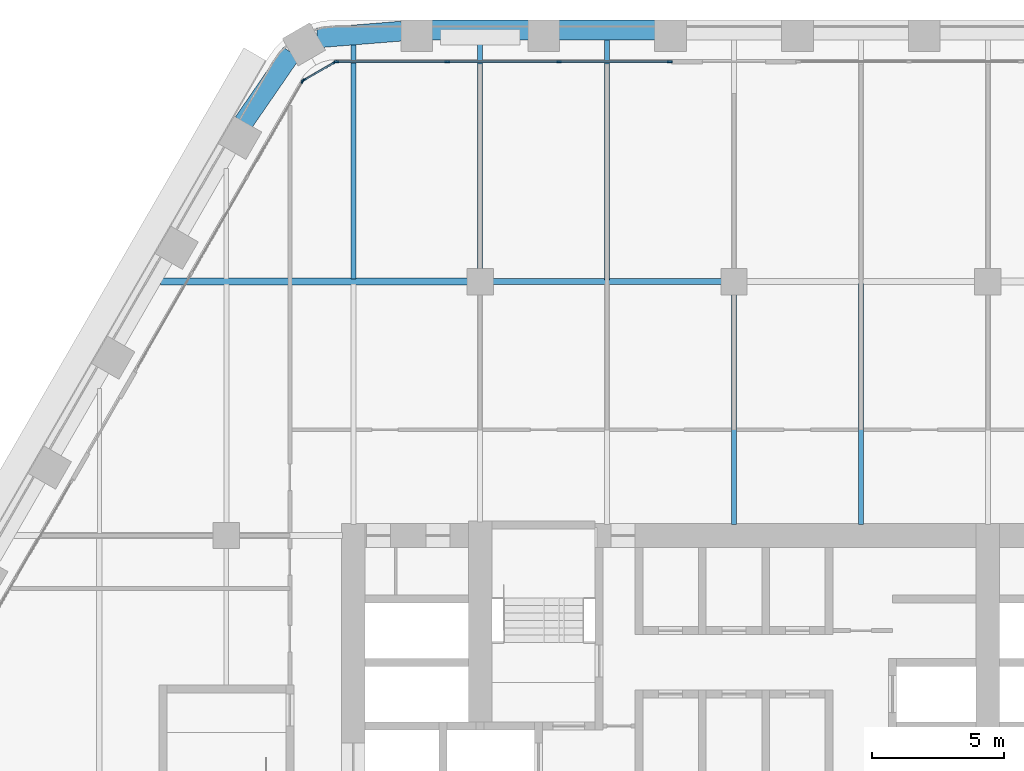
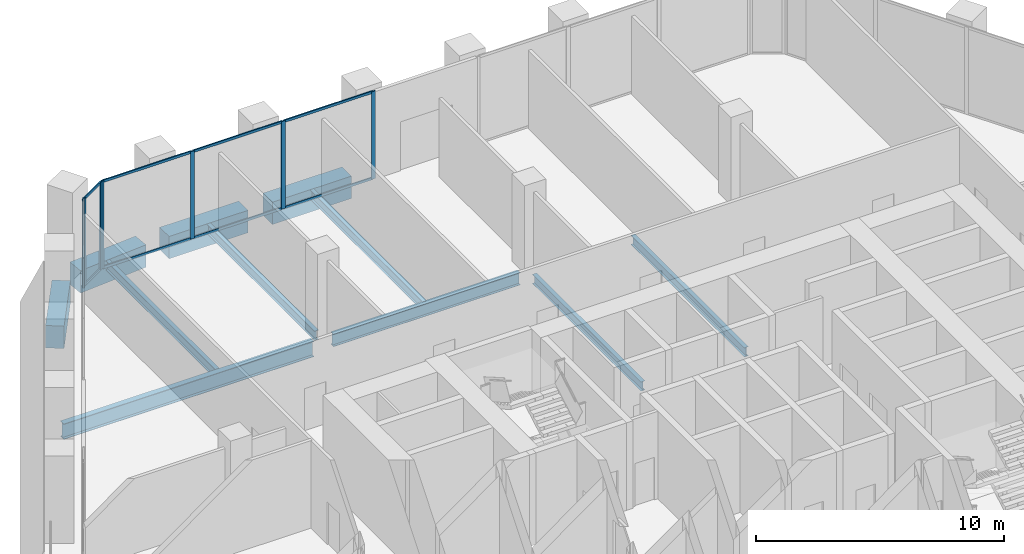
# One storey, part 7 of 22: 15 members, 11 beams, 3 elements without a shape of their own.
"""IFC4 building model written with IfcOpenShell, lengths in metres."""

from ifc_helpers import new_model, si_unit, direction, frame, origin, origin_2d, place, context, subcontext, project, spatial, rectangle, i_section, extrude, material, material_profile, profile_set, type_object, element, aggregate, save


model = new_model("IFC4")

# Units and contexts
model_context = context("Model", 3, precision=1e-05, world=origin(), true_north=direction((0.0, 1.0)))
body_context = subcontext(model_context, "Body", "Model", "MODEL_VIEW")
ifc_project = project(units=[si_unit("LENGTHUNIT", "METRE"), si_unit("AREAUNIT", "SQUARE_METRE"), si_unit("VOLUMEUNIT", "CUBIC_METRE"), si_unit("PLANEANGLEUNIT", "RADIAN"), si_unit("MASSUNIT", "GRAM", prefix="KILO")], contexts=[model_context])

# Site, building, storey
site_placement = place(None, origin())
site = spatial("IfcSite", under=ifc_project, at=site_placement, CompositionType="ELEMENT")
building_placement = place(site_placement, origin())
building = spatial("IfcBuilding", under=site, at=building_placement, Name="Kolab Exchange Tower", CompositionType="ELEMENT")
storey_placement = place(building_placement, frame((0.0, 0.0, 113.89990234375)))
storey = spatial("IfcBuildingStorey", under=building, at=storey_placement, Name="L22", CompositionType="ELEMENT", Elevation=113.89990234375)

# Beams
ifc_material_1 = material(Name="Steel S355", Category="steel")
ifc_material_profile_1 = material_profile(ifc_material_1, i_section(OverallWidth=0.18994140625, OverallDepth=0.45703125, WebThickness=0.009033203125, FlangeThickness=0.014404296875, at=origin_2d()), Name="W460X74")
ifc_profile_set_1 = profile_set([ifc_material_profile_1], Name="Steel S355")
beam_type_1 = type_object("IfcBeamType", Name="FLOOR BEAM W460X74", PredefinedType="BEAM", material=ifc_profile_set_1)
beam_1_placement = place(storey_placement, frame((-14.39990234375, 19.29345703125, -0.428466796875), z_axis=(0.0, 1.0, 0.0), x_axis=(-1.0, 0.0, 0.0)))
element("IfcBeam", 1, at=beam_1_placement, inside=storey, type_object=beam_type_1, Name="beam/L22/fr/015", PredefinedType="BEAM", context=body_context, shape_type="SweptSolid", body=[
    extrude(i_section(OverallWidth=0.18994140625, OverallDepth=0.45703125, WebThickness=0.009033203125, FlangeThickness=0.014404296875, at=origin_2d()), origin(), (0.0, 0.0, 1.0), 8.901123046875),
])
beam_2_placement = place(storey_placement, frame((-9.60009765625, 19.659912109375, -0.428466796875), z_axis=(0.0, 1.0, 0.0), x_axis=(-1.0, 0.0, 0.0)))
element("IfcBeam", 2, at=beam_2_placement, inside=storey, type_object=beam_type_1, Name="beam/L22/fr/019", PredefinedType="BEAM", context=body_context, shape_type="SweptSolid", body=[
    extrude(i_section(OverallWidth=0.18994140625, OverallDepth=0.45703125, WebThickness=0.009033203125, FlangeThickness=0.014404296875, at=origin_2d()), origin(), (0.0, 0.0, 1.0), 8.728515625),
])
beam_3_placement = place(storey_placement, frame((-4.800048828125, 19.27392578125, -0.428466796875), z_axis=(0.0, 1.0, 0.0), x_axis=(-1.0, 0.0, 0.0)))
element("IfcBeam", 3, at=beam_3_placement, inside=storey, type_object=beam_type_1, Name="beam/L22/fr/023", PredefinedType="BEAM", context=body_context, shape_type="SweptSolid", body=[
    extrude(i_section(OverallWidth=0.18994140625, OverallDepth=0.45703125, WebThickness=0.009033203125, FlangeThickness=0.014404296875, at=origin_2d()), origin(), (0.0, 0.0, 1.0), 9.114501953125),
])
beam_4_placement = place(storey_placement, frame((0.0, 10.010009765625, -0.428466796875), z_axis=(0.0, 1.0, 0.0), x_axis=(-1.0, 0.0, 0.0)))
element("IfcBeam", 4, at=beam_4_placement, inside=storey, type_object=beam_type_1, Name="beam/L22/fr/026", PredefinedType="BEAM", context=body_context, shape_type="SweptSolid", body=[
    extrude(i_section(OverallWidth=0.18994140625, OverallDepth=0.45703125, WebThickness=0.009033203125, FlangeThickness=0.014404296875, at=origin_2d()), origin(), (0.0, 0.0, 1.0), 8.72998046875),
])
beam_5_placement = place(storey_placement, frame((4.800048828125, 10.010009765625, -0.428466796875), z_axis=(0.0, 1.0, 0.0), x_axis=(-1.0, 0.0, 0.0)))
element("IfcBeam", 5, at=beam_5_placement, inside=storey, type_object=beam_type_1, Name="beam/L22/fr/030", PredefinedType="BEAM", context=body_context, shape_type="SweptSolid", body=[
    extrude(i_section(OverallWidth=0.18994140625, OverallDepth=0.45703125, WebThickness=0.009033203125, FlangeThickness=0.014404296875, at=origin_2d()), origin(), (0.0, 0.0, 1.0), 9.115966796875),
])
ifc_material_profile_2 = material_profile(ifc_material_1, i_section(OverallWidth=0.22802734375, OverallDepth=0.60791015625, WebThickness=0.01123046875, FlangeThickness=0.017333984375, at=origin_2d()), Name="W610X113")
ifc_profile_set_2 = profile_set([ifc_material_profile_2], Name="Steel S355")
beam_type_2 = type_object("IfcBeamType", Name="FLOOR GIRDER W610X113", PredefinedType="BEAM", material=ifc_profile_set_2)
beam_6_placement = place(storey_placement, frame((-9.139892578125, 19.199951171875, -0.50390625), z_axis=(1.0, 0.0, 0.0), x_axis=(0.0, 1.0, 0.0)))
element("IfcBeam", 6, at=beam_6_placement, inside=storey, type_object=beam_type_2, Name="beam/L22/gd/009", PredefinedType="BEAM", context=body_context, shape_type="SweptSolid", body=[
    extrude(i_section(OverallWidth=0.22802734375, OverallDepth=0.60791015625, WebThickness=0.01123046875, FlangeThickness=0.017333984375, at=origin_2d()), origin(), (0.0, 0.0, 1.0), 8.679931640625),
])
ifc_material_profile_3 = material_profile(ifc_material_1, i_section(OverallWidth=0.26708984375, OverallDepth=0.761962890625, WebThickness=0.014404296875, FlangeThickness=0.021484375, at=origin_2d()), Name="W760X173")
ifc_profile_set_3 = profile_set([ifc_material_profile_3], Name="Steel S355")
beam_type_3 = type_object("IfcBeamType", Name="FLOOR GIRDER W760X173", PredefinedType="BEAM", material=ifc_profile_set_3)
beam_7_placement = place(storey_placement, frame((-21.688720703125, 19.199951171875, -0.580810546875), z_axis=(1.0, 0.0, 0.0), x_axis=(0.0, 1.0, 0.0)))
element("IfcBeam", 7, at=beam_7_placement, inside=storey, type_object=beam_type_3, Name="beam/L22/gd/004", PredefinedType="BEAM", context=body_context, shape_type="SweptSolid", body=[
    extrude(i_section(OverallWidth=0.26708984375, OverallDepth=0.761962890625, WebThickness=0.014404296875, FlangeThickness=0.021484375, at=origin_2d()), origin(), (0.0, 0.0, 1.0), 11.628662109375),
])
ifc_material_2 = material(Name="Concrete C70/85", Category="concrete")
ifc_material_profile_4 = material_profile(ifc_material_2, rectangle(XDim=0.75, YDim=1.10009765625, at=origin_2d()), Name="RC750X1100")
ifc_profile_set_4 = profile_set([ifc_material_profile_4], Name="Concrete C70/85")
beam_type_4 = type_object("IfcBeamType", Name="SPANDREL BEAM 750X1100 C70/85", PredefinedType="BEAM", material=ifc_profile_set_4)
beam_8_placement = place(storey_placement, frame((-15.75830078125, 28.421630859375, -0.75), z_axis=(0.996791038408, 0.080047646748, 0.0), x_axis=(-0.080047646748, 0.996791038408, 0.0)))
element("IfcBeam", 8, at=beam_8_placement, inside=storey, type_object=beam_type_4, Name="beam/L22/sp/F1-01", PredefinedType="BEAM", context=body_context, shape_type="SweptSolid", body=[
    extrude(rectangle(XDim=0.75, YDim=1.10009765625, at=origin_2d()), origin(), (0.0, 0.0, 1.0), 3.20849609375),
])
for number, where, z_axis, x_axis, name in (
    (9, (-11.43994140625, 28.723388671875, -0.75), (1.0, 0.0, 0.0), (0.0, 1.0, 0.0), "beam/L22/sp/F1-02"),
    (10, (-6.639892578125, 28.723388671875, -0.75), (1.0, 0.0, 0.0), (0.0, 1.0, 0.0), "beam/L22/sp/F1-03"),
):
    element("IfcBeam", number, at=place(storey_placement, frame(where, z_axis=z_axis, x_axis=x_axis)), inside=storey, type_object=beam_type_4, Name=name, PredefinedType="BEAM", context=body_context, shape_type="SweptSolid", body=[
        extrude(rectangle(XDim=0.75, YDim=1.10009765625, at=origin_2d()), origin(), (0.0, 0.0, 1.0), 3.679931640625),
    ])
beam_9_placement = place(storey_placement, frame((-18.55615234375, 25.216552734375, -0.75), z_axis=(0.567661826262, 0.823261836237, 0.0), x_axis=(-0.823261836237, 0.567661826262, 0.0)))
element("IfcBeam", 11, at=beam_9_placement, inside=storey, type_object=beam_type_4, Name="beam/L22/sp/F6-07", PredefinedType="BEAM", context=body_context, shape_type="SweptSolid", body=[
    extrude(rectangle(XDim=0.75, YDim=1.10009765625, at=origin_2d()), origin(), (0.0, 0.0, 1.0), 3.20849609375),
])

# Curtain wall, members
ifc_material_3 = material(Name="Aluminium EN AW-6063 T6", Category="aluminium")
curtain_wall_type = type_object("IfcCurtainWallType", Name="UNITISED LOWER MID ZONE CURTAIN WALL", PredefinedType="NOTDEFINED", material=ifc_material_3)
curtain_wall_1_placement = place(storey_placement, origin())
curtain_wall_1 = element("IfcCurtainWall", 12, at=curtain_wall_1_placement, inside=storey, type_object=curtain_wall_type, Name="cw/L22/F1-1", PredefinedType="NOTDEFINED")
ifc_material_profile_5 = material_profile(ifc_material_3, rectangle(XDim=0.06005859375, YDim=0.179931640625, at=origin_2d()), Name="RECT 60X180")
ifc_profile_set_5 = profile_set([ifc_material_profile_5], Name="Aluminium EN AW-6063 T6")
member_type_1 = type_object("IfcMemberType", Name="UNITISED LOWER MID ZONE MULLION 60 X 180", PredefinedType="MULLION", material=ifc_profile_set_5)
member_1_placement = place(storey_placement, frame((-15.037841796875, 27.5185546875, 0.0), z_axis=(0.0, 0.0, 1.0), x_axis=(0.0, 1.0, 0.0)))
member_1 = element("IfcMember", 13, at=member_1_placement, type_object=member_type_1, Name="CW2 mullion 1", PredefinedType="MULLION", context=body_context, shape_type="SweptSolid", body=[
    extrude(rectangle(XDim=0.06005859375, YDim=0.179931640625, at=origin_2d()), origin(), (0.0, 0.0, 1.0), 4.300048828125),
])
member_2_placement = place(storey_placement, frame((-10.84521484375, 27.5185546875, 0.0), z_axis=(0.0, 0.0, 1.0), x_axis=(0.0, 1.0, 0.0)))
member_2 = element("IfcMember", 14, at=member_2_placement, type_object=member_type_1, Name="CW2 mullion 2", PredefinedType="MULLION", context=body_context, shape_type="SweptSolid", body=[
    extrude(rectangle(XDim=0.06005859375, YDim=0.179931640625, at=origin_2d()), origin(), (0.0, 0.0, 1.0), 4.300048828125),
])
member_3_placement = place(storey_placement, frame((-6.62255859375, 27.5185546875, 0.0), z_axis=(0.0, 0.0, 1.0), x_axis=(0.0, 1.0, 0.0)))
member_3 = element("IfcMember", 15, at=member_3_placement, type_object=member_type_1, Name="CW2 mullion 3", PredefinedType="MULLION", context=body_context, shape_type="SweptSolid", body=[
    extrude(rectangle(XDim=0.06005859375, YDim=0.179931640625, at=origin_2d()), origin(), (0.0, 0.0, 1.0), 4.300048828125),
])
member_4_placement = place(storey_placement, frame((-2.429931640625, 27.5185546875, 0.0), z_axis=(0.0, 0.0, 1.0), x_axis=(0.0, 1.0, 0.0)))
member_4 = element("IfcMember", 16, at=member_4_placement, type_object=member_type_1, Name="CW2 mullion 4", PredefinedType="MULLION", context=body_context, shape_type="SweptSolid", body=[
    extrude(rectangle(XDim=0.06005859375, YDim=0.179931640625, at=origin_2d()), origin(), (0.0, 0.0, 1.0), 4.300048828125),
])

# Curtain wall, member
curtain_wall_2_placement = place(storey_placement, origin())
curtain_wall_2 = element("IfcCurtainWall", 17, at=curtain_wall_2_placement, inside=storey, type_object=curtain_wall_type, Name="cw/L22/F6-2", PredefinedType="NOTDEFINED")
member_5_placement = place(storey_placement, frame((-16.312744140625, 26.782470703125, 0.0), z_axis=(0.0, 0.0, 1.0), x_axis=(-0.866025393644, 0.500000017564, 0.0)))
member_5 = element("IfcMember", 18, at=member_5_placement, type_object=member_type_1, Name="CW2 mullion 4", PredefinedType="MULLION", context=body_context, shape_type="SweptSolid", body=[
    extrude(rectangle(XDim=0.06005859375, YDim=0.179931640625, at=origin_2d()), origin(), (0.0, 0.0, 1.0), 4.300048828125),
])
aggregate(curtain_wall_2, [member_5])

# Curtain wall, members
curtain_wall_3_placement = place(storey_placement, origin())
curtain_wall_3 = element("IfcCurtainWall", 19, at=curtain_wall_3_placement, inside=storey, type_object=curtain_wall_type, Name="cw/L22/F6F1-corner", PredefinedType="NOTDEFINED")
member_6_placement = place(storey_placement, frame((-16.271728515625, 26.823486328125, 0.0), z_axis=(0.0, 0.0, 1.0), x_axis=(-0.50000002237, 0.866025390869, 0.0)))
member_6 = element("IfcMember", 20, at=member_6_placement, type_object=member_type_1, Name="CW2 mullion 1", PredefinedType="MULLION", context=body_context, shape_type="SweptSolid", body=[
    extrude(rectangle(XDim=0.06005859375, YDim=0.179931640625, at=origin_2d()), origin(), (0.0, 0.0, 1.0), 4.300048828125),
])
member_7_placement = place(storey_placement, frame((-15.093994140625, 27.50341796875, 0.0), z_axis=(0.0, 0.0, 1.0), x_axis=(-0.50000002237, 0.866025390869, 0.0)))
member_7 = element("IfcMember", 21, at=member_7_placement, type_object=member_type_1, Name="CW2 mullion 2", PredefinedType="MULLION", context=body_context, shape_type="SweptSolid", body=[
    extrude(rectangle(XDim=0.06005859375, YDim=0.179931640625, at=origin_2d()), origin(), (0.0, 0.0, 1.0), 4.300048828125),
])

# Member
ifc_material_profile_6 = material_profile(ifc_material_3, rectangle(XDim=0.06005859375, YDim=0.1201171875, at=origin_2d()), Name="RECT 60X120")
ifc_profile_set_6 = profile_set([ifc_material_profile_6], Name="Aluminium EN AW-6063 T6")
member_type_2 = type_object("IfcMemberType", Name="UNITISED LOWER MID ZONE TRANSOM 60 X 120", PredefinedType="USERDEFINED", material=ifc_profile_set_6)
member_8_placement = place(storey_placement, frame((-15.008056640625, 27.5185546875, 0.030029296875), z_axis=(1.0, 0.0, 0.0), x_axis=(0.0, 1.0, 0.0)))
member_8 = element("IfcMember", 22, at=member_8_placement, type_object=member_type_2, Name="CW2 transom 1.1", ObjectType="TRANSOM", PredefinedType="USERDEFINED", context=body_context, shape_type="SweptSolid", body=[
    extrude(rectangle(XDim=0.06005859375, YDim=0.1201171875, at=origin_2d()), origin(), (0.0, 0.0, 1.0), 4.1328125),
])

member_9_placement = place(storey_placement, frame((-15.008056640625, 27.5185546875, 4.27001953125), z_axis=(1.0, 0.0, 0.0), x_axis=(0.0, 1.0, 0.0)))
member_9 = element("IfcMember", 23, at=member_9_placement, type_object=member_type_2, Name="CW2 transom 1.2", ObjectType="TRANSOM", PredefinedType="USERDEFINED", context=body_context, shape_type="SweptSolid", body=[
    extrude(rectangle(XDim=0.06005859375, YDim=0.1201171875, at=origin_2d()), origin(), (0.0, 0.0, 1.0), 4.1328125),
])

member_10_placement = place(storey_placement, frame((-10.815185546875, 27.5185546875, 0.030029296875), z_axis=(1.0, 0.0, 0.0), x_axis=(0.0, 1.0, 0.0)))
member_10 = element("IfcMember", 24, at=member_10_placement, type_object=member_type_2, Name="CW2 transom 2.1", ObjectType="TRANSOM", PredefinedType="USERDEFINED", context=body_context, shape_type="SweptSolid", body=[
    extrude(rectangle(XDim=0.06005859375, YDim=0.1201171875, at=origin_2d()), origin(), (0.0, 0.0, 1.0), 4.16259765625),
])

member_11_placement = place(storey_placement, frame((-10.815185546875, 27.5185546875, 4.27001953125), z_axis=(1.0, 0.0, 0.0), x_axis=(0.0, 1.0, 0.0)))
member_11 = element("IfcMember", 25, at=member_11_placement, type_object=member_type_2, Name="CW2 transom 2.2", ObjectType="TRANSOM", PredefinedType="USERDEFINED", context=body_context, shape_type="SweptSolid", body=[
    extrude(rectangle(XDim=0.06005859375, YDim=0.1201171875, at=origin_2d()), origin(), (0.0, 0.0, 1.0), 4.16259765625),
])

member_12_placement = place(storey_placement, frame((-6.592529296875, 27.5185546875, 0.030029296875), z_axis=(1.0, 0.0, 0.0), x_axis=(0.0, 1.0, 0.0)))
member_12 = element("IfcMember", 26, at=member_12_placement, type_object=member_type_2, Name="CW2 transom 3.1", ObjectType="TRANSOM", PredefinedType="USERDEFINED", context=body_context, shape_type="SweptSolid", body=[
    extrude(rectangle(XDim=0.06005859375, YDim=0.1201171875, at=origin_2d()), origin(), (0.0, 0.0, 1.0), 4.132568359375),
])

member_13_placement = place(storey_placement, frame((-6.592529296875, 27.5185546875, 4.27001953125), z_axis=(1.0, 0.0, 0.0), x_axis=(0.0, 1.0, 0.0)))
member_13 = element("IfcMember", 27, at=member_13_placement, type_object=member_type_2, Name="CW2 transom 3.2", ObjectType="TRANSOM", PredefinedType="USERDEFINED", context=body_context, shape_type="SweptSolid", body=[
    extrude(rectangle(XDim=0.06005859375, YDim=0.1201171875, at=origin_2d()), origin(), (0.0, 0.0, 1.0), 4.132568359375),
])

aggregate(curtain_wall_1, [member_1, member_2, member_3, member_4, member_8, member_9, member_10, member_11, member_12, member_13])

member_14_placement = place(storey_placement, frame((-16.245849609375, 26.83837890625, 0.030029296875), z_axis=(0.866004217611, 0.500036693733, 0.0), x_axis=(-0.500036693733, 0.866004217611, 0.0)))
member_14 = element("IfcMember", 28, at=member_14_placement, type_object=member_type_2, Name="CW2 transom 1.1", ObjectType="TRANSOM", PredefinedType="USERDEFINED", context=body_context, shape_type="SweptSolid", body=[
    extrude(rectangle(XDim=0.06005859375, YDim=0.1201171875, at=origin_2d()), origin(), (0.0, 0.0, 1.0), 1.30029296875),
])

member_15_placement = place(storey_placement, frame((-16.245849609375, 26.83837890625, 4.27001953125), z_axis=(0.866004217611, 0.500036693733, 0.0), x_axis=(-0.500036693733, 0.866004217611, 0.0)))
member_15 = element("IfcMember", 29, at=member_15_placement, type_object=member_type_2, Name="CW2 transom 1.2", ObjectType="TRANSOM", PredefinedType="USERDEFINED", context=body_context, shape_type="SweptSolid", body=[
    extrude(rectangle(XDim=0.06005859375, YDim=0.1201171875, at=origin_2d()), origin(), (0.0, 0.0, 1.0), 1.30029296875),
])

aggregate(curtain_wall_3, [member_6, member_7, member_14, member_15])

save(model, "model.ifc")
